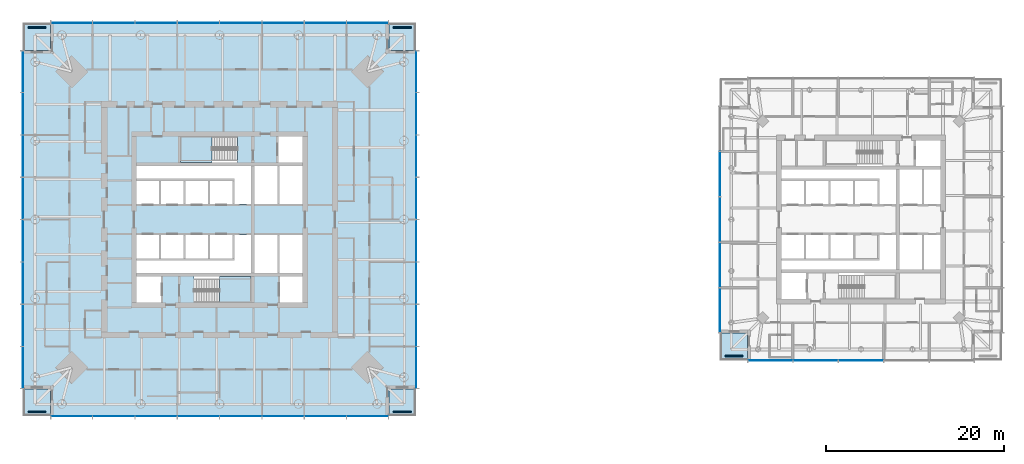
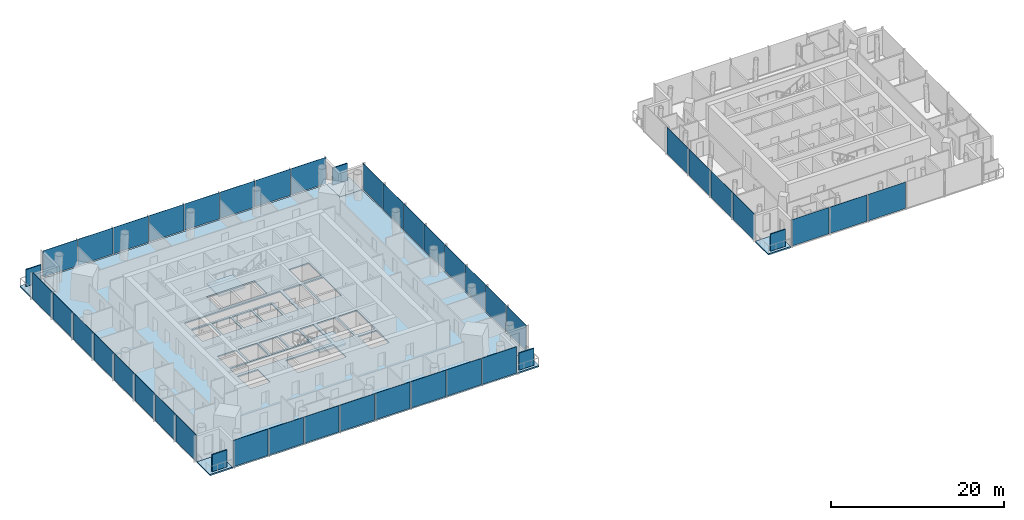
# One storey, part 6 of 18: 44 plates, 8 slabs, 8 elements without a shape of their own.
"""IFC4 building model written with IfcOpenShell, lengths in metres."""

from ifc_helpers import new_model, si_unit, direction, frame, origin, origin_2d, place, context, subcontext, project, spatial, polyline, rectangle, outline, extrude, material, layer, layer_set, type_object, element, aggregate, save


model = new_model("IFC4")

# Units and contexts
model_context = context("Model", 3, precision=1e-05, world=origin(), true_north=direction((0.0, 1.0)))
body_context = subcontext(model_context, "Body", "Model", "MODEL_VIEW")
ifc_project = project(units=[si_unit("LENGTHUNIT", "METRE"), si_unit("AREAUNIT", "SQUARE_METRE"), si_unit("VOLUMEUNIT", "CUBIC_METRE"), si_unit("PLANEANGLEUNIT", "RADIAN"), si_unit("MASSUNIT", "GRAM", prefix="KILO")], contexts=[model_context])

# Site, building, storey
site_placement = place(None, origin())
site = spatial("IfcSite", under=ifc_project, at=site_placement, CompositionType="ELEMENT")
building_placement = place(site_placement, origin())
building = spatial("IfcBuilding", under=site, at=building_placement, Name="Ostroluk Exchange", CompositionType="ELEMENT")
storey_placement = place(building_placement, frame((0.0, 0.0, 123.60009765625)))
storey = spatial("IfcBuildingStorey", under=building, at=storey_placement, Name="L31", CompositionType="ELEMENT", Elevation=123.60009765625)

# Curtain wall, plates
ifc_material_1 = material(Name="Laminated clear glass", Category="glass")
curtain_wall_type_1 = type_object("IfcCurtainWallType", Name="Hotel guest floor facade", PredefinedType="USERDEFINED", material=ifc_material_1)
curtain_wall_1_placement = place(storey_placement, origin())
curtain_wall_1 = element("IfcCurtainWall", 1, at=curtain_wall_1_placement, inside=storey, type_object=curtain_wall_type_1, Name="Hotel tower south facade L31", ObjectType="UNITISED CURTAIN WALL", PredefinedType="USERDEFINED")
ifc_material_2 = material(Name="Laminated clear glass", Category="glass")
ifc_layer_1 = layer(ifc_material_2, 0.0400390625)
ifc_layer_set_1 = layer_set([ifc_layer_1], Name="Acoustic laminated glazing 40")
plate_type_1 = type_object("IfcPlateType", Name="Acoustic laminated glazing 40", PredefinedType="CURTAIN_PANEL", material=ifc_layer_set_1)
plate_1_placement = place(storey_placement, frame((106.820068359375, 30.175048828125, 0.080078125), z_axis=(0.0, 0.0, 1.0), x_axis=(1.0, 0.0, 0.0)))
plate_1 = element("IfcPlate", 2, at=plate_1_placement, type_object=plate_type_1, Name="CW-H1 panel 1.1", PredefinedType="CURTAIN_PANEL", context=body_context, shape_type="SweptSolid", body=[
    extrude(rectangle(XDim=4.97998046875, YDim=0.0400390625, at=origin_2d()), origin(), (0.0, 0.0, 1.0), 3.719970703125),
])
plate_2_placement = place(storey_placement, frame((111.89990234375, 30.175048828125, 0.080078125), z_axis=(0.0, 0.0, 1.0), x_axis=(1.0, 0.0, 0.0)))
plate_2 = element("IfcPlate", 3, at=plate_2_placement, type_object=plate_type_1, Name="CW-H1 panel 2.1", PredefinedType="CURTAIN_PANEL", context=body_context, shape_type="SweptSolid", body=[
    extrude(rectangle(XDim=5.02001953125, YDim=0.0400390625, at=origin_2d()), origin(), (0.0, 0.0, 1.0), 3.719970703125),
])
plate_3_placement = place(storey_placement, frame((117.0, 30.175048828125, 0.080078125), z_axis=(0.0, 0.0, 1.0), x_axis=(1.0, 0.0, 0.0)))
plate_3 = element("IfcPlate", 4, at=plate_3_placement, type_object=plate_type_1, Name="CW-H1 panel 3.1", PredefinedType="CURTAIN_PANEL", context=body_context, shape_type="SweptSolid", body=[
    extrude(rectangle(XDim=5.02001953125, YDim=0.0400390625, at=origin_2d()), origin(), (0.0, 0.0, 1.0), 3.719970703125),
])
aggregate(curtain_wall_1, [plate_1, plate_2, plate_3])

curtain_wall_2_placement = place(storey_placement, origin())
curtain_wall_2 = element("IfcCurtainWall", 5, at=curtain_wall_2_placement, inside=storey, type_object=curtain_wall_type_1, Name="Hotel tower west facade L31", ObjectType="UNITISED CURTAIN WALL", PredefinedType="USERDEFINED")
plate_4_placement = place(storey_placement, frame((101.175048828125, 51.10009765625, 0.080078125), z_axis=(0.0, 0.0, 1.0), x_axis=(0.0, -1.0, 0.0)))
plate_4 = element("IfcPlate", 6, at=plate_4_placement, type_object=plate_type_1, Name="CW-H1 panel 2.1", PredefinedType="CURTAIN_PANEL", context=body_context, shape_type="SweptSolid", body=[
    extrude(rectangle(XDim=5.02001953125, YDim=0.0400390625, at=origin_2d()), origin(), (0.0, 0.0, 1.0), 3.719970703125),
])
plate_5_placement = place(storey_placement, frame((101.175048828125, 46.0, 0.080078125), z_axis=(0.0, 0.0, 1.0), x_axis=(0.0, -1.0, 0.0)))
plate_5 = element("IfcPlate", 7, at=plate_5_placement, type_object=plate_type_1, Name="CW-H1 panel 3.1", PredefinedType="CURTAIN_PANEL", context=body_context, shape_type="SweptSolid", body=[
    extrude(rectangle(XDim=5.02001953125, YDim=0.0400390625, at=origin_2d()), origin(), (0.0, 0.0, 1.0), 3.719970703125),
])
plate_6_placement = place(storey_placement, frame((101.175048828125, 40.89990234375, 0.080078125), z_axis=(0.0, 0.0, 1.0), x_axis=(0.0, -1.0, 0.0)))
plate_6 = element("IfcPlate", 8, at=plate_6_placement, type_object=plate_type_1, Name="CW-H1 panel 4.1", PredefinedType="CURTAIN_PANEL", context=body_context, shape_type="SweptSolid", body=[
    extrude(rectangle(XDim=5.02001953125, YDim=0.0400390625, at=origin_2d()), origin(), (0.0, 0.0, 1.0), 3.719970703125),
])
plate_7_placement = place(storey_placement, frame((101.175048828125, 35.820068359375, 0.080078125), z_axis=(0.0, 0.0, 1.0), x_axis=(0.0, -1.0, 0.0)))
plate_7 = element("IfcPlate", 9, at=plate_7_placement, type_object=plate_type_1, Name="CW-H1 panel 5.1", PredefinedType="CURTAIN_PANEL", context=body_context, shape_type="SweptSolid", body=[
    extrude(rectangle(XDim=4.97998046875, YDim=0.0400390625, at=origin_2d()), origin(), (0.0, 0.0, 1.0), 3.719970703125),
])
aggregate(curtain_wall_2, [plate_4, plate_5, plate_6, plate_7])

# Slabs
ifc_material_3 = material(Name="Concrete C35/45", Category="concrete")
ifc_layer_2 = layer(ifc_material_3, 0.179931640625)
ifc_layer_set_2 = layer_set([ifc_layer_2], Name="Balcony slab 180")
slab_type_1 = type_object("IfcSlabType", Name="Balcony slab 180", PredefinedType="USERDEFINED", material=ifc_layer_set_2)
slab_1_placement = place(storey_placement, frame((0.0, 0.0, -0.18017578125)))
element("IfcSlab", 10, at=slab_1_placement, inside=storey, type_object=slab_type_1, Name="Office tower SE corner balcony L31", ObjectType="BALCONY", PredefinedType="USERDEFINED", context=body_context, shape_type="SweptSolid", body=[
    extrude(outline(polyline([(64.0, 24.0), (67.0, 24.0), (67.0, 27.0), (64.0, 27.0), (64.0, 24.0)])), origin(), (0.0, 0.0, 1.0), 0.18017578125),
])
slab_2_placement = place(storey_placement, frame((0.0, 0.0, -0.18017578125)))
element("IfcSlab", 11, at=slab_2_placement, inside=storey, type_object=slab_type_1, Name="Office tower NE corner balcony L31", ObjectType="BALCONY", PredefinedType="USERDEFINED", context=body_context, shape_type="SweptSolid", body=[
    extrude(outline(polyline([(64.0, 65.0), (67.0, 65.0), (67.0, 68.0), (64.0, 68.0), (64.0, 65.0)])), origin(), (0.0, 0.0, 1.0), 0.18017578125),
])
slab_3_placement = place(storey_placement, frame((0.0, 0.0, -0.18017578125)))
element("IfcSlab", 12, at=slab_3_placement, inside=storey, type_object=slab_type_1, Name="Office tower NW corner balcony L31", ObjectType="BALCONY", PredefinedType="USERDEFINED", context=body_context, shape_type="SweptSolid", body=[
    extrude(outline(polyline([(23.0, 65.0), (26.0, 65.0), (26.0, 68.0), (23.0, 68.0), (23.0, 65.0)])), origin(), (0.0, 0.0, 1.0), 0.18017578125),
])
slab_4_placement = place(storey_placement, frame((0.0, 0.0, -0.18017578125)))
element("IfcSlab", 13, at=slab_4_placement, inside=storey, type_object=slab_type_1, Name="Office tower SW corner balcony L31", ObjectType="BALCONY", PredefinedType="USERDEFINED", context=body_context, shape_type="SweptSolid", body=[
    extrude(outline(polyline([(23.0, 24.0), (26.0, 24.0), (26.0, 27.0), (23.0, 27.0), (23.0, 24.0)])), origin(), (0.0, 0.0, 1.0), 0.18017578125),
])
ifc_material_4 = material(Name="Concrete C35/45", Category="concrete")
ifc_layer_3 = layer(ifc_material_4, 0.199951171875)
ifc_layer_set_3 = layer_set([ifc_layer_3], Name="Balcony slab 200")
slab_type_2 = type_object("IfcSlabType", Name="Balcony slab 200", PredefinedType="USERDEFINED", material=ifc_layer_set_3)
slab_5_placement = place(storey_placement, frame((0.0, 0.0, -0.2001953125)))
element("IfcSlab", 14, at=slab_5_placement, inside=storey, type_object=slab_type_2, Name="Hotel tower SW corner balcony L31", ObjectType="BALCONY", PredefinedType="USERDEFINED", context=body_context, shape_type="SweptSolid", body=[
    extrude(outline(polyline([(101.25, 30.25), (104.25, 30.25), (104.25, 33.25), (101.25, 33.25), (101.25, 30.25)])), origin(), (0.0, 0.0, 1.0), 0.2001953125),
])

# Plates
ifc_material_5 = material(Name="Steel S355 trellis with planting", Category="steel")
ifc_layer_4 = layer(ifc_material_5, 0.14990234375)
ifc_layer_set_4 = layer_set([ifc_layer_4], Name="Planted screen 150")
plate_type_2 = type_object("IfcPlateType", Name="Planted screen 150", PredefinedType="USERDEFINED", material=ifc_layer_set_4)
for number, where, z_axis, x_axis, name in (
    (15, (65.5, 24.425048828125, 0.0), (0.0, 0.0, 1.0), (1.0, 0.0, 0.0), "Office tower SE planted screen L31"),
    (16, (65.5, 67.574951171875, 0.0), (0.0, 0.0, 1.0), (1.0, 0.0, 0.0), "Office tower NE planted screen L31"),
    (17, (24.5, 67.574951171875, 0.0), (0.0, 0.0, 1.0), (1.0, 0.0, 0.0), "Office tower NW planted screen L31"),
    (18, (24.5, 24.425048828125, 0.0), (0.0, 0.0, 1.0), (1.0, 0.0, 0.0), "Office tower SW planted screen L31"),
    (19, (102.75, 30.675048828125, 0.0), (0.0, 0.0, 1.0), (1.0, 0.0, 0.0), "Hotel tower SW planted screen L31"),
):
    element("IfcPlate", number, at=place(storey_placement, frame(where, z_axis=z_axis, x_axis=x_axis)), inside=storey, type_object=plate_type_2, Name=name, ObjectType="PLANTED SCREEN", PredefinedType="USERDEFINED", context=body_context, shape_type="SweptSolid", body=[
        extrude(rectangle(XDim=2.0, YDim=0.14990234375, at=origin_2d()), origin(), (0.0, 0.0, 1.0), 2.39990234375),
    ])

# Stair, slab
ifc_material_6 = material(Name="Concrete C30/37", Category="concrete")
stair_type = type_object("IfcStairType", Name="Exit stair half turn 3800", PredefinedType="HALF_TURN_STAIR", material=ifc_material_6)
stair_1_placement = place(storey_placement, origin())
stair_1 = element("IfcStair", 20, at=stair_1_placement, inside=storey, type_object=stair_type, Name="Stair T1-S1 L31", PredefinedType="HALF_TURN_STAIR")
ifc_material_7 = material(Name="Concrete C30/37", Category="concrete")
ifc_layer_5 = layer(ifc_material_7, 0.199951171875)
ifc_layer_set_5 = layer_set([ifc_layer_5], Name="Stair landing 200")
slab_type_3 = type_object("IfcSlabType", Name="Stair landing 200", PredefinedType="LANDING", material=ifc_layer_set_5)
slab_6_placement = place(storey_placement, frame((0.0, 0.0, 1.699951171875)))
slab_6 = element("IfcSlab", 21, at=slab_6_placement, type_object=slab_type_3, Name="T1-S1 landing 1", PredefinedType="LANDING", context=body_context, shape_type="SweptSolid", body=[
    extrude(outline(polyline([(45.0, 36.699951171875), (45.0, 39.60009765625), (48.530029296875, 39.60009765625), (48.530029296875, 36.699951171875), (45.0, 36.699951171875)])), origin(), (0.0, 0.0, 1.0), 0.199951171875),
])
aggregate(stair_1, [slab_6])

stair_2_placement = place(storey_placement, origin())
stair_2 = element("IfcStair", 22, at=stair_2_placement, inside=storey, type_object=stair_type, Name="Stair T1-S2 L31", PredefinedType="HALF_TURN_STAIR")
slab_7_placement = place(storey_placement, frame((0.0, 0.0, 1.699951171875)))
slab_7 = element("IfcSlab", 23, at=slab_7_placement, type_object=slab_type_3, Name="T1-S2 landing 1", PredefinedType="LANDING", context=body_context, shape_type="SweptSolid", body=[
    extrude(outline(polyline([(44.1298828125, 52.39990234375), (44.1298828125, 55.300048828125), (40.60009765625, 55.300048828125), (40.60009765625, 52.39990234375), (44.1298828125, 52.39990234375)])), origin(), (0.0, 0.0, 1.0), 0.199951171875),
])
aggregate(stair_2, [slab_7])

# Slab
ifc_material_8 = material(Name="Concrete C35/45", Category="concrete")
ifc_layer_6 = layer(ifc_material_8, 0.179931640625)
ifc_layer_set_6 = layer_set([ifc_layer_6], Name="Tower floor slab 180 composite")
slab_type_4 = type_object("IfcSlabType", Name="Tower floor slab 180 composite", PredefinedType="FLOOR", material=ifc_layer_set_6)
slab_8_placement = place(storey_placement, frame((0.0, 0.0, -0.18017578125)))
element("IfcSlab", 24, at=slab_8_placement, inside=storey, type_object=slab_type_4, Name="Office tower floor slab L31", PredefinedType="FLOOR", context=body_context, shape_type="SweptSolid", body=[
    extrude(outline(polyline([(26.0, 24.0), (64.0, 24.0), (64.0, 27.0), (67.0, 27.0), (67.0, 65.0), (64.0, 65.0), (64.0, 68.0), (26.0, 68.0), (26.0, 65.0), (23.0, 65.0), (23.0, 27.0), (26.0, 27.0), (26.0, 24.0)]), holes=[polyline([(35.699951171875, 36.699951171875), (38.39990234375, 36.699951171875), (38.39990234375, 39.60009765625), (35.699951171875, 39.60009765625), (35.699951171875, 36.699951171875)]), polyline([(42.110107421875, 36.699951171875), (48.530029296875, 36.699951171875), (48.530029296875, 39.60009765625), (42.110107421875, 39.60009765625), (42.110107421875, 36.699951171875)]), polyline([(51.800048828125, 36.699951171875), (54.300048828125, 36.699951171875), (54.300048828125, 39.60009765625), (51.800048828125, 39.60009765625), (51.800048828125, 36.699951171875)]), polyline([(40.60009765625, 52.39990234375), (47.02001953125, 52.39990234375), (47.02001953125, 55.300048828125), (40.60009765625, 55.300048828125), (40.60009765625, 52.39990234375)]), polyline([(51.60009765625, 52.39990234375), (54.300048828125, 52.39990234375), (54.300048828125, 55.300048828125), (51.60009765625, 55.300048828125), (51.60009765625, 52.39990234375)]), polyline([(35.699951171875, 47.75), (38.199951171875, 47.75), (38.199951171875, 50.35009765625), (35.699951171875, 50.35009765625), (35.699951171875, 47.75)]), polyline([(38.449951171875, 47.75), (40.949951171875, 47.75), (40.949951171875, 50.35009765625), (38.449951171875, 50.35009765625), (38.449951171875, 47.75)]), polyline([(41.199951171875, 47.75), (43.699951171875, 47.75), (43.699951171875, 50.35009765625), (41.199951171875, 50.35009765625), (41.199951171875, 47.75)]), polyline([(43.949951171875, 47.75), (46.449951171875, 47.75), (46.449951171875, 50.35009765625), (43.949951171875, 50.35009765625), (43.949951171875, 47.75)]), polyline([(35.699951171875, 41.64990234375), (38.199951171875, 41.64990234375), (38.199951171875, 44.25), (35.699951171875, 44.25), (35.699951171875, 41.64990234375)]), polyline([(38.449951171875, 41.64990234375), (40.949951171875, 41.64990234375), (40.949951171875, 44.25), (38.449951171875, 44.25), (38.449951171875, 41.64990234375)]), polyline([(41.199951171875, 41.64990234375), (43.699951171875, 41.64990234375), (43.699951171875, 44.25), (41.199951171875, 44.25), (41.199951171875, 41.64990234375)]), polyline([(43.949951171875, 41.64990234375), (46.449951171875, 41.64990234375), (46.449951171875, 44.25), (43.949951171875, 44.25), (43.949951171875, 41.64990234375)]), polyline([(48.929931640625, 47.75), (51.489990234375, 47.75), (51.489990234375, 52.0), (48.929931640625, 52.0), (48.929931640625, 47.75)]), polyline([(51.739990234375, 47.75), (54.300048828125, 47.75), (54.300048828125, 52.0), (51.739990234375, 52.0), (51.739990234375, 47.75)]), polyline([(48.929931640625, 40.0), (51.489990234375, 40.0), (51.489990234375, 44.25), (48.929931640625, 44.25), (48.929931640625, 40.0)]), polyline([(51.739990234375, 40.0), (54.300048828125, 40.0), (54.300048828125, 44.25), (51.739990234375, 44.25), (51.739990234375, 40.0)]), polyline([(48.530029296875, 52.0), (48.530029296875, 47.75), (46.699951171875, 47.75), (46.699951171875, 50.60009765625), (35.699951171875, 50.60009765625), (35.699951171875, 52.0), (48.530029296875, 52.0)]), polyline([(35.699951171875, 40.0), (35.699951171875, 41.39990234375), (46.699951171875, 41.39990234375), (46.699951171875, 44.25), (48.530029296875, 44.25), (48.530029296875, 40.0), (35.699951171875, 40.0)])]), origin(), (0.0, 0.0, 1.0), 0.18017578125),
])

# Curtain wall, plates
ifc_material_9 = material(Name="Laminated clear glass", Category="glass")
curtain_wall_type_2 = type_object("IfcCurtainWallType", Name="Office tower facade", PredefinedType="USERDEFINED", material=ifc_material_9)
curtain_wall_3_placement = place(storey_placement, origin())
curtain_wall_3 = element("IfcCurtainWall", 25, at=curtain_wall_3_placement, inside=storey, type_object=curtain_wall_type_2, Name="Office tower south facade L31", ObjectType="UNITISED CURTAIN WALL", PredefinedType="USERDEFINED")
ifc_material_10 = material(Name="Laminated clear glass", Category="glass")
ifc_layer_7 = layer(ifc_material_10, 0.0439453125)
ifc_layer_set_7 = layer_set([ifc_layer_7], Name="Triple laminated clear glazing 44")
plate_type_3 = type_object("IfcPlateType", Name="Triple laminated clear glazing 44", PredefinedType="CURTAIN_PANEL", material=ifc_layer_set_7)
plate_8_placement = place(storey_placement, frame((28.39501953125, 23.925048828125, 0.080078125), z_axis=(0.0, 0.0, 1.0), x_axis=(1.0, 0.0, 0.0)))
plate_8 = element("IfcPlate", 26, at=plate_8_placement, type_object=plate_type_3, Name="CW-O1 panel 1.1", PredefinedType="CURTAIN_PANEL", context=body_context, shape_type="SweptSolid", body=[
    extrude(rectangle(XDim=4.6298828125, YDim=0.0439453125, at=origin_2d()), origin(), (0.0, 0.0, 1.0), 3.719970703125),
])
plate_9_placement = place(storey_placement, frame((33.125, 23.925048828125, 0.080078125), z_axis=(0.0, 0.0, 1.0), x_axis=(1.0, 0.0, 0.0)))
plate_9 = element("IfcPlate", 27, at=plate_9_placement, type_object=plate_type_3, Name="CW-O1 panel 2.1", PredefinedType="CURTAIN_PANEL", context=body_context, shape_type="SweptSolid", body=[
    extrude(rectangle(XDim=4.669921875, YDim=0.0439453125, at=origin_2d()), origin(), (0.0, 0.0, 1.0), 3.719970703125),
])
plate_10_placement = place(storey_placement, frame((37.875, 23.925048828125, 0.080078125), z_axis=(0.0, 0.0, 1.0), x_axis=(1.0, 0.0, 0.0)))
plate_10 = element("IfcPlate", 28, at=plate_10_placement, type_object=plate_type_3, Name="CW-O1 panel 3.1", PredefinedType="CURTAIN_PANEL", context=body_context, shape_type="SweptSolid", body=[
    extrude(rectangle(XDim=4.669921875, YDim=0.0439453125, at=origin_2d()), origin(), (0.0, 0.0, 1.0), 3.719970703125),
])
plate_11_placement = place(storey_placement, frame((42.625, 23.925048828125, 0.080078125), z_axis=(0.0, 0.0, 1.0), x_axis=(1.0, 0.0, 0.0)))
plate_11 = element("IfcPlate", 29, at=plate_11_placement, type_object=plate_type_3, Name="CW-O1 panel 4.1", PredefinedType="CURTAIN_PANEL", context=body_context, shape_type="SweptSolid", body=[
    extrude(rectangle(XDim=4.669921875, YDim=0.0439453125, at=origin_2d()), origin(), (0.0, 0.0, 1.0), 3.719970703125),
])
plate_12_placement = place(storey_placement, frame((47.375, 23.925048828125, 0.080078125), z_axis=(0.0, 0.0, 1.0), x_axis=(1.0, 0.0, 0.0)))
plate_12 = element("IfcPlate", 30, at=plate_12_placement, type_object=plate_type_3, Name="CW-O1 panel 5.1", PredefinedType="CURTAIN_PANEL", context=body_context, shape_type="SweptSolid", body=[
    extrude(rectangle(XDim=4.669921875, YDim=0.0439453125, at=origin_2d()), origin(), (0.0, 0.0, 1.0), 3.719970703125),
])
plate_13_placement = place(storey_placement, frame((52.125, 23.925048828125, 0.080078125), z_axis=(0.0, 0.0, 1.0), x_axis=(1.0, 0.0, 0.0)))
plate_13 = element("IfcPlate", 31, at=plate_13_placement, type_object=plate_type_3, Name="CW-O1 panel 6.1", PredefinedType="CURTAIN_PANEL", context=body_context, shape_type="SweptSolid", body=[
    extrude(rectangle(XDim=4.669921875, YDim=0.0439453125, at=origin_2d()), origin(), (0.0, 0.0, 1.0), 3.719970703125),
])
plate_14_placement = place(storey_placement, frame((56.875, 23.925048828125, 0.080078125), z_axis=(0.0, 0.0, 1.0), x_axis=(1.0, 0.0, 0.0)))
plate_14 = element("IfcPlate", 32, at=plate_14_placement, type_object=plate_type_3, Name="CW-O1 panel 7.1", PredefinedType="CURTAIN_PANEL", context=body_context, shape_type="SweptSolid", body=[
    extrude(rectangle(XDim=4.669921875, YDim=0.0439453125, at=origin_2d()), origin(), (0.0, 0.0, 1.0), 3.719970703125),
])
plate_15_placement = place(storey_placement, frame((61.60498046875, 23.925048828125, 0.080078125), z_axis=(0.0, 0.0, 1.0), x_axis=(1.0, 0.0, 0.0)))
plate_15 = element("IfcPlate", 33, at=plate_15_placement, type_object=plate_type_3, Name="CW-O1 panel 8.1", PredefinedType="CURTAIN_PANEL", context=body_context, shape_type="SweptSolid", body=[
    extrude(rectangle(XDim=4.6298828125, YDim=0.0439453125, at=origin_2d()), origin(), (0.0, 0.0, 1.0), 3.719970703125),
])
aggregate(curtain_wall_3, [plate_8, plate_9, plate_10, plate_11, plate_12, plate_13, plate_14, plate_15])

curtain_wall_4_placement = place(storey_placement, origin())
curtain_wall_4 = element("IfcCurtainWall", 34, at=curtain_wall_4_placement, inside=storey, type_object=curtain_wall_type_2, Name="Office tower east facade L31", ObjectType="UNITISED CURTAIN WALL", PredefinedType="USERDEFINED")
plate_16_placement = place(storey_placement, frame((67.074951171875, 29.39501953125, 0.080078125), z_axis=(0.0, 0.0, 1.0), x_axis=(0.0, 1.0, 0.0)))
plate_16 = element("IfcPlate", 35, at=plate_16_placement, type_object=plate_type_3, Name="CW-O1 panel 1.1", PredefinedType="CURTAIN_PANEL", context=body_context, shape_type="SweptSolid", body=[
    extrude(rectangle(XDim=4.6298828125, YDim=0.0439453125, at=origin_2d()), origin(), (0.0, 0.0, 1.0), 3.719970703125),
])
plate_17_placement = place(storey_placement, frame((67.074951171875, 34.125, 0.080078125), z_axis=(0.0, 0.0, 1.0), x_axis=(0.0, 1.0, 0.0)))
plate_17 = element("IfcPlate", 36, at=plate_17_placement, type_object=plate_type_3, Name="CW-O1 panel 2.1", PredefinedType="CURTAIN_PANEL", context=body_context, shape_type="SweptSolid", body=[
    extrude(rectangle(XDim=4.669921875, YDim=0.0439453125, at=origin_2d()), origin(), (0.0, 0.0, 1.0), 3.719970703125),
])
plate_18_placement = place(storey_placement, frame((67.074951171875, 38.875, 0.080078125), z_axis=(0.0, 0.0, 1.0), x_axis=(0.0, 1.0, 0.0)))
plate_18 = element("IfcPlate", 37, at=plate_18_placement, type_object=plate_type_3, Name="CW-O1 panel 3.1", PredefinedType="CURTAIN_PANEL", context=body_context, shape_type="SweptSolid", body=[
    extrude(rectangle(XDim=4.669921875, YDim=0.0439453125, at=origin_2d()), origin(), (0.0, 0.0, 1.0), 3.719970703125),
])
plate_19_placement = place(storey_placement, frame((67.074951171875, 43.625, 0.080078125), z_axis=(0.0, 0.0, 1.0), x_axis=(0.0, 1.0, 0.0)))
plate_19 = element("IfcPlate", 38, at=plate_19_placement, type_object=plate_type_3, Name="CW-O1 panel 4.1", PredefinedType="CURTAIN_PANEL", context=body_context, shape_type="SweptSolid", body=[
    extrude(rectangle(XDim=4.669921875, YDim=0.0439453125, at=origin_2d()), origin(), (0.0, 0.0, 1.0), 3.719970703125),
])
plate_20_placement = place(storey_placement, frame((67.074951171875, 48.375, 0.080078125), z_axis=(0.0, 0.0, 1.0), x_axis=(0.0, 1.0, 0.0)))
plate_20 = element("IfcPlate", 39, at=plate_20_placement, type_object=plate_type_3, Name="CW-O1 panel 5.1", PredefinedType="CURTAIN_PANEL", context=body_context, shape_type="SweptSolid", body=[
    extrude(rectangle(XDim=4.669921875, YDim=0.0439453125, at=origin_2d()), origin(), (0.0, 0.0, 1.0), 3.719970703125),
])
plate_21_placement = place(storey_placement, frame((67.074951171875, 53.125, 0.080078125), z_axis=(0.0, 0.0, 1.0), x_axis=(0.0, 1.0, 0.0)))
plate_21 = element("IfcPlate", 40, at=plate_21_placement, type_object=plate_type_3, Name="CW-O1 panel 6.1", PredefinedType="CURTAIN_PANEL", context=body_context, shape_type="SweptSolid", body=[
    extrude(rectangle(XDim=4.669921875, YDim=0.0439453125, at=origin_2d()), origin(), (0.0, 0.0, 1.0), 3.719970703125),
])
plate_22_placement = place(storey_placement, frame((67.074951171875, 57.875, 0.080078125), z_axis=(0.0, 0.0, 1.0), x_axis=(0.0, 1.0, 0.0)))
plate_22 = element("IfcPlate", 41, at=plate_22_placement, type_object=plate_type_3, Name="CW-O1 panel 7.1", PredefinedType="CURTAIN_PANEL", context=body_context, shape_type="SweptSolid", body=[
    extrude(rectangle(XDim=4.669921875, YDim=0.0439453125, at=origin_2d()), origin(), (0.0, 0.0, 1.0), 3.719970703125),
])
plate_23_placement = place(storey_placement, frame((67.074951171875, 62.60498046875, 0.080078125), z_axis=(0.0, 0.0, 1.0), x_axis=(0.0, 1.0, 0.0)))
plate_23 = element("IfcPlate", 42, at=plate_23_placement, type_object=plate_type_3, Name="CW-O1 panel 8.1", PredefinedType="CURTAIN_PANEL", context=body_context, shape_type="SweptSolid", body=[
    extrude(rectangle(XDim=4.6298828125, YDim=0.0439453125, at=origin_2d()), origin(), (0.0, 0.0, 1.0), 3.719970703125),
])
aggregate(curtain_wall_4, [plate_16, plate_17, plate_18, plate_19, plate_20, plate_21, plate_22, plate_23])

curtain_wall_5_placement = place(storey_placement, origin())
curtain_wall_5 = element("IfcCurtainWall", 43, at=curtain_wall_5_placement, inside=storey, type_object=curtain_wall_type_2, Name="Office tower north facade L31", ObjectType="UNITISED CURTAIN WALL", PredefinedType="USERDEFINED")
plate_24_placement = place(storey_placement, frame((61.60498046875, 68.074951171875, 0.080078125), z_axis=(0.0, 0.0, 1.0), x_axis=(-1.0, 0.0, 0.0)))
plate_24 = element("IfcPlate", 44, at=plate_24_placement, type_object=plate_type_3, Name="CW-O1 panel 1.1", PredefinedType="CURTAIN_PANEL", context=body_context, shape_type="SweptSolid", body=[
    extrude(rectangle(XDim=4.6298828125, YDim=0.0439453125, at=origin_2d()), origin(), (0.0, 0.0, 1.0), 3.719970703125),
])
plate_25_placement = place(storey_placement, frame((56.875, 68.074951171875, 0.080078125), z_axis=(0.0, 0.0, 1.0), x_axis=(-1.0, 0.0, 0.0)))
plate_25 = element("IfcPlate", 45, at=plate_25_placement, type_object=plate_type_3, Name="CW-O1 panel 2.1", PredefinedType="CURTAIN_PANEL", context=body_context, shape_type="SweptSolid", body=[
    extrude(rectangle(XDim=4.669921875, YDim=0.0439453125, at=origin_2d()), origin(), (0.0, 0.0, 1.0), 3.719970703125),
])
plate_26_placement = place(storey_placement, frame((52.125, 68.074951171875, 0.080078125), z_axis=(0.0, 0.0, 1.0), x_axis=(-1.0, 0.0, 0.0)))
plate_26 = element("IfcPlate", 46, at=plate_26_placement, type_object=plate_type_3, Name="CW-O1 panel 3.1", PredefinedType="CURTAIN_PANEL", context=body_context, shape_type="SweptSolid", body=[
    extrude(rectangle(XDim=4.669921875, YDim=0.0439453125, at=origin_2d()), origin(), (0.0, 0.0, 1.0), 3.719970703125),
])
plate_27_placement = place(storey_placement, frame((47.375, 68.074951171875, 0.080078125), z_axis=(0.0, 0.0, 1.0), x_axis=(-1.0, 0.0, 0.0)))
plate_27 = element("IfcPlate", 47, at=plate_27_placement, type_object=plate_type_3, Name="CW-O1 panel 4.1", PredefinedType="CURTAIN_PANEL", context=body_context, shape_type="SweptSolid", body=[
    extrude(rectangle(XDim=4.669921875, YDim=0.0439453125, at=origin_2d()), origin(), (0.0, 0.0, 1.0), 3.719970703125),
])
plate_28_placement = place(storey_placement, frame((42.625, 68.074951171875, 0.080078125), z_axis=(0.0, 0.0, 1.0), x_axis=(-1.0, 0.0, 0.0)))
plate_28 = element("IfcPlate", 48, at=plate_28_placement, type_object=plate_type_3, Name="CW-O1 panel 5.1", PredefinedType="CURTAIN_PANEL", context=body_context, shape_type="SweptSolid", body=[
    extrude(rectangle(XDim=4.669921875, YDim=0.0439453125, at=origin_2d()), origin(), (0.0, 0.0, 1.0), 3.719970703125),
])
plate_29_placement = place(storey_placement, frame((37.875, 68.074951171875, 0.080078125), z_axis=(0.0, 0.0, 1.0), x_axis=(-1.0, 0.0, 0.0)))
plate_29 = element("IfcPlate", 49, at=plate_29_placement, type_object=plate_type_3, Name="CW-O1 panel 6.1", PredefinedType="CURTAIN_PANEL", context=body_context, shape_type="SweptSolid", body=[
    extrude(rectangle(XDim=4.669921875, YDim=0.0439453125, at=origin_2d()), origin(), (0.0, 0.0, 1.0), 3.719970703125),
])
plate_30_placement = place(storey_placement, frame((33.125, 68.074951171875, 0.080078125), z_axis=(0.0, 0.0, 1.0), x_axis=(-1.0, 0.0, 0.0)))
plate_30 = element("IfcPlate", 50, at=plate_30_placement, type_object=plate_type_3, Name="CW-O1 panel 7.1", PredefinedType="CURTAIN_PANEL", context=body_context, shape_type="SweptSolid", body=[
    extrude(rectangle(XDim=4.669921875, YDim=0.0439453125, at=origin_2d()), origin(), (0.0, 0.0, 1.0), 3.719970703125),
])
plate_31_placement = place(storey_placement, frame((28.39501953125, 68.074951171875, 0.080078125), z_axis=(0.0, 0.0, 1.0), x_axis=(-1.0, 0.0, 0.0)))
plate_31 = element("IfcPlate", 51, at=plate_31_placement, type_object=plate_type_3, Name="CW-O1 panel 8.1", PredefinedType="CURTAIN_PANEL", context=body_context, shape_type="SweptSolid", body=[
    extrude(rectangle(XDim=4.6298828125, YDim=0.0439453125, at=origin_2d()), origin(), (0.0, 0.0, 1.0), 3.719970703125),
])
aggregate(curtain_wall_5, [plate_24, plate_25, plate_26, plate_27, plate_28, plate_29, plate_30, plate_31])

curtain_wall_6_placement = place(storey_placement, origin())
curtain_wall_6 = element("IfcCurtainWall", 52, at=curtain_wall_6_placement, inside=storey, type_object=curtain_wall_type_2, Name="Office tower west facade L31", ObjectType="UNITISED CURTAIN WALL", PredefinedType="USERDEFINED")
plate_32_placement = place(storey_placement, frame((22.925048828125, 62.60498046875, 0.080078125), z_axis=(0.0, 0.0, 1.0), x_axis=(0.0, -1.0, 0.0)))
plate_32 = element("IfcPlate", 53, at=plate_32_placement, type_object=plate_type_3, Name="CW-O1 panel 1.1", PredefinedType="CURTAIN_PANEL", context=body_context, shape_type="SweptSolid", body=[
    extrude(rectangle(XDim=4.6298828125, YDim=0.0439453125, at=origin_2d()), origin(), (0.0, 0.0, 1.0), 3.719970703125),
])
plate_33_placement = place(storey_placement, frame((22.925048828125, 57.875, 0.080078125), z_axis=(0.0, 0.0, 1.0), x_axis=(0.0, -1.0, 0.0)))
plate_33 = element("IfcPlate", 54, at=plate_33_placement, type_object=plate_type_3, Name="CW-O1 panel 2.1", PredefinedType="CURTAIN_PANEL", context=body_context, shape_type="SweptSolid", body=[
    extrude(rectangle(XDim=4.669921875, YDim=0.0439453125, at=origin_2d()), origin(), (0.0, 0.0, 1.0), 3.719970703125),
])
plate_34_placement = place(storey_placement, frame((22.925048828125, 53.125, 0.080078125), z_axis=(0.0, 0.0, 1.0), x_axis=(0.0, -1.0, 0.0)))
plate_34 = element("IfcPlate", 55, at=plate_34_placement, type_object=plate_type_3, Name="CW-O1 panel 3.1", PredefinedType="CURTAIN_PANEL", context=body_context, shape_type="SweptSolid", body=[
    extrude(rectangle(XDim=4.669921875, YDim=0.0439453125, at=origin_2d()), origin(), (0.0, 0.0, 1.0), 3.719970703125),
])
plate_35_placement = place(storey_placement, frame((22.925048828125, 48.375, 0.080078125), z_axis=(0.0, 0.0, 1.0), x_axis=(0.0, -1.0, 0.0)))
plate_35 = element("IfcPlate", 56, at=plate_35_placement, type_object=plate_type_3, Name="CW-O1 panel 4.1", PredefinedType="CURTAIN_PANEL", context=body_context, shape_type="SweptSolid", body=[
    extrude(rectangle(XDim=4.669921875, YDim=0.0439453125, at=origin_2d()), origin(), (0.0, 0.0, 1.0), 3.719970703125),
])
plate_36_placement = place(storey_placement, frame((22.925048828125, 43.625, 0.080078125), z_axis=(0.0, 0.0, 1.0), x_axis=(0.0, -1.0, 0.0)))
plate_36 = element("IfcPlate", 57, at=plate_36_placement, type_object=plate_type_3, Name="CW-O1 panel 5.1", PredefinedType="CURTAIN_PANEL", context=body_context, shape_type="SweptSolid", body=[
    extrude(rectangle(XDim=4.669921875, YDim=0.0439453125, at=origin_2d()), origin(), (0.0, 0.0, 1.0), 3.719970703125),
])
plate_37_placement = place(storey_placement, frame((22.925048828125, 38.875, 0.080078125), z_axis=(0.0, 0.0, 1.0), x_axis=(0.0, -1.0, 0.0)))
plate_37 = element("IfcPlate", 58, at=plate_37_placement, type_object=plate_type_3, Name="CW-O1 panel 6.1", PredefinedType="CURTAIN_PANEL", context=body_context, shape_type="SweptSolid", body=[
    extrude(rectangle(XDim=4.669921875, YDim=0.0439453125, at=origin_2d()), origin(), (0.0, 0.0, 1.0), 3.719970703125),
])
plate_38_placement = place(storey_placement, frame((22.925048828125, 34.125, 0.080078125), z_axis=(0.0, 0.0, 1.0), x_axis=(0.0, -1.0, 0.0)))
plate_38 = element("IfcPlate", 59, at=plate_38_placement, type_object=plate_type_3, Name="CW-O1 panel 7.1", PredefinedType="CURTAIN_PANEL", context=body_context, shape_type="SweptSolid", body=[
    extrude(rectangle(XDim=4.669921875, YDim=0.0439453125, at=origin_2d()), origin(), (0.0, 0.0, 1.0), 3.719970703125),
])
plate_39_placement = place(storey_placement, frame((22.925048828125, 29.39501953125, 0.080078125), z_axis=(0.0, 0.0, 1.0), x_axis=(0.0, -1.0, 0.0)))
plate_39 = element("IfcPlate", 60, at=plate_39_placement, type_object=plate_type_3, Name="CW-O1 panel 8.1", PredefinedType="CURTAIN_PANEL", context=body_context, shape_type="SweptSolid", body=[
    extrude(rectangle(XDim=4.6298828125, YDim=0.0439453125, at=origin_2d()), origin(), (0.0, 0.0, 1.0), 3.719970703125),
])
aggregate(curtain_wall_6, [plate_32, plate_33, plate_34, plate_35, plate_36, plate_37, plate_38, plate_39])

save(model, "model.ifc")
